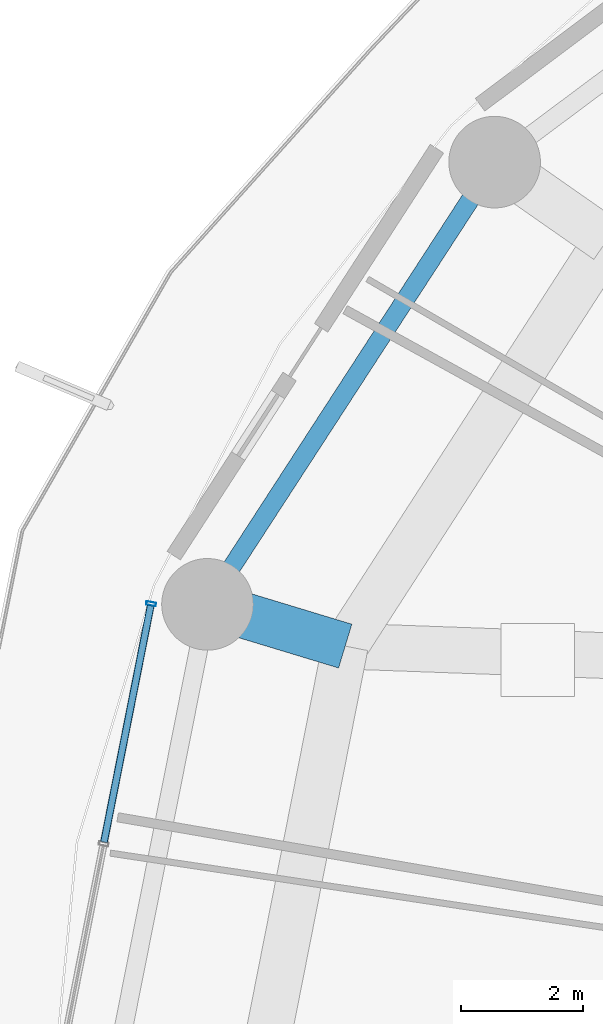
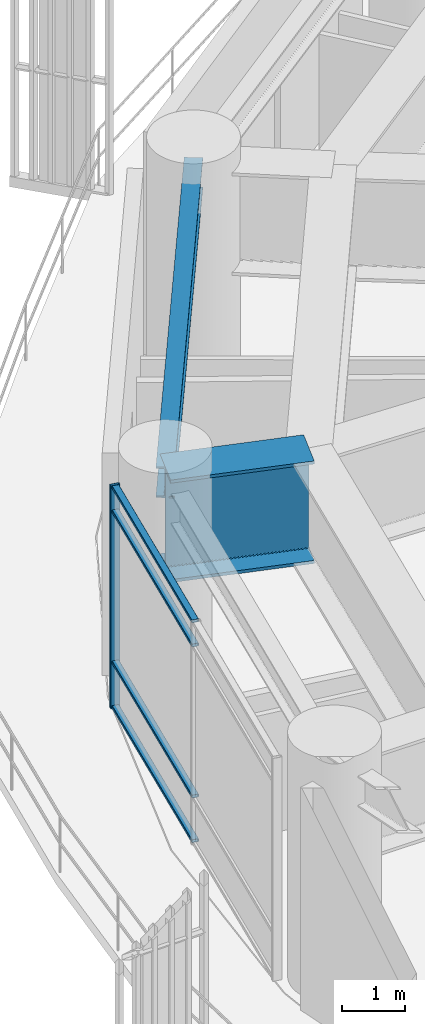
# One storey, part 14 of 31: 5 members, 2 beams, 1 element without a shape of its own.
"""IFC4 building model written with IfcOpenShell, lengths in metres."""

from ifc_helpers import new_model, si_unit, direction, frame, origin, origin_2d, place, context, subcontext, project, spatial, hollow_rectangle, i_section, extrude, material, layer, layer_set, material_profile, profile_set, type_object, element, aggregate, save


model = new_model("IFC4")

# Units and contexts
model_context = context("Model", 3, precision=1e-05, world=origin(), true_north=direction((0.0, 1.0)))
body_context = subcontext(model_context, "Body", "Model", "MODEL_VIEW")
ifc_project = project(units=[si_unit("LENGTHUNIT", "METRE"), si_unit("AREAUNIT", "SQUARE_METRE"), si_unit("VOLUMEUNIT", "CUBIC_METRE"), si_unit("PLANEANGLEUNIT", "RADIAN"), si_unit("MASSUNIT", "GRAM", prefix="KILO")], contexts=[model_context])

# Site, building, storey
site_placement = place(None, origin())
site = spatial("IfcSite", under=ifc_project, at=site_placement, CompositionType="ELEMENT")
building_placement = place(site_placement, origin())
building = spatial("IfcBuilding", under=site, at=building_placement, Name="Kelanora Arch Commons", CompositionType="ELEMENT")
storey_placement = place(building_placement, frame((0.0, 0.0, 67.5)))
storey = spatial("IfcBuildingStorey", under=building, at=storey_placement, Name="L17", CompositionType="ELEMENT", Elevation=67.5)

# Beams
ifc_material_1 = material(Name="Steel S355", Category="steel")
ifc_material_profile_1 = material_profile(ifc_material_1, i_section(OverallWidth=0.300048828125, OverallDepth=0.60009765625, WebThickness=0.015380859375, FlangeThickness=0.030029296875, FilletRadius=0.027099609375, at=origin_2d()), Name="HEB600")
ifc_profile_set_1 = profile_set([ifc_material_profile_1], Name="Steel S355")
beam_type_1 = type_object("IfcBeamType", Name="BM-SPN-Z1", PredefinedType="SPANDREL", material=ifc_profile_set_1)
beam_1_placement = place(storey_placement, frame((53.255615234375, 73.478271484375, 4.06005859375), z_axis=(-0.544585813928, -0.838705127722, 0.0), x_axis=(0.838705127722, -0.544585813928, 0.0)))
element("IfcBeam", 1, at=beam_1_placement, inside=storey, type_object=beam_type_1, Name="Perimeter Spandrel Beam BS-14 L17", PredefinedType="SPANDREL", context=body_context, shape_type="SweptSolid", body=[
    extrude(i_section(OverallWidth=0.300048828125, OverallDepth=0.60009765625, WebThickness=0.015380859375, FlangeThickness=0.030029296875, FilletRadius=0.027099609375, at=origin_2d()), origin(), (0.0, 0.0, 1.0), 8.63525390625),
])
ifc_material_profile_2 = material_profile(ifc_material_1, i_section(OverallWidth=0.75, OverallDepth=2.0, WebThickness=0.034912109375, FlangeThickness=0.06005859375, FilletRadius=0.028076171875, at=origin_2d()), Name="PG2000x750")
ifc_profile_set_2 = profile_set([ifc_material_profile_2], Name="Steel S355")
beam_type_2 = type_object("IfcBeamType", Name="BM-XFER-SET", PredefinedType="USERDEFINED", material=ifc_profile_set_2)
beam_2_placement = place(storey_placement, frame((50.808349609375, 65.5517578125, 3.360107421875), z_axis=(-0.956949447341, 0.290254638607, 0.0), x_axis=(-0.290254638607, -0.956949447341, 0.0)))
element("IfcBeam", 2, at=beam_2_placement, inside=storey, type_object=beam_type_2, Name="Radial Floor Girder BR-16 L17", ObjectType="TRANSFER_GIRDER", PredefinedType="USERDEFINED", context=body_context, shape_type="SweptSolid", body=[
    extrude(i_section(OverallWidth=0.75, OverallDepth=2.0, WebThickness=0.034912109375, FlangeThickness=0.06005859375, FilletRadius=0.028076171875, at=origin_2d()), origin(), (0.0, 0.0, 1.0), 2.35693359375),
])

# Curtain wall, members
ifc_material_2 = material(Name="Terracotta ceramic-fritted low-E glass and aluminium", Category="masonry")
ifc_layer = layer(ifc_material_2, 0.159912109375)
ifc_layer_set = layer_set([ifc_layer], Name="Terracotta ceramic-fritted low-E glass and aluminium")
curtain_wall_type = type_object("IfcCurtainWallType", Name="CW-SYS-01", PredefinedType="NOTDEFINED", material=ifc_layer_set)
curtain_wall_placement = place(storey_placement, origin())
curtain_wall = element("IfcCurtainWall", 3, at=curtain_wall_placement, inside=storey, type_object=curtain_wall_type, Name="Unitised Curtain Wall L17-B08", PredefinedType="NOTDEFINED")
ifc_material_3 = material(Name="Powder-coated aluminium terracotta", Category="masonry")
ifc_material_profile_3 = material_profile(ifc_material_3, hollow_rectangle(XDim=0.159912109375, YDim=0.06005859375, WallThickness=0.0048828125, InnerFilletRadius=0.0048828125, OuterFilletRadius=0.010009765625, at=origin_2d()), Name="CWM160x60")
ifc_profile_set_3 = profile_set([ifc_material_profile_3], Name="Powder-coated aluminium terracotta")
member_type_1 = type_object("IfcMemberType", Name="CWM-STD", PredefinedType="MULLION", material=ifc_profile_set_3)
member_1_placement = place(storey_placement, frame((47.628173828125, 66.243896484375, 0.0), z_axis=(0.0, 0.0, 1.0), x_axis=(0.981052110579, -0.193744048498, 0.0)))
member_1 = element("IfcMember", 4, at=member_1_placement, type_object=member_type_1, Name="CW-01 mullion 1", PredefinedType="MULLION", context=body_context, shape_type="SweptSolid", body=[
    extrude(hollow_rectangle(XDim=0.159912109375, YDim=0.06005859375, WallThickness=0.0048828125, InnerFilletRadius=0.0048828125, OuterFilletRadius=0.010009765625, at=origin_2d()), origin(), (0.0, 0.0, 1.0), 4.344970703125),
])
ifc_material_profile_4 = material_profile(ifc_material_3, hollow_rectangle(XDim=0.1201171875, YDim=0.06005859375, WallThickness=0.0048828125, InnerFilletRadius=0.0048828125, OuterFilletRadius=0.010009765625, at=origin_2d()), Name="CWT120x60")
ifc_profile_set_4 = profile_set([ifc_material_profile_4], Name="Powder-coated aluminium terracotta")
member_type_2 = type_object("IfcMemberType", Name="CWT-STD", PredefinedType="USERDEFINED", material=ifc_profile_set_4)
member_2_placement = place(storey_placement, frame((47.622314453125, 66.21435546875, 0.030029296875), z_axis=(-0.193725436624, -0.98105578598, 0.0), x_axis=(0.98105578598, -0.193725436624, 0.0)))
member_2 = element("IfcMember", 5, at=member_2_placement, type_object=member_type_2, Name="CW-01 transom 1.1", ObjectType="TRANSOM", PredefinedType="USERDEFINED", context=body_context, shape_type="SweptSolid", body=[
    extrude(hollow_rectangle(XDim=0.1201171875, YDim=0.06005859375, WallThickness=0.0048828125, InnerFilletRadius=0.0048828125, OuterFilletRadius=0.010009765625, at=origin_2d()), origin(), (0.0, 0.0, 1.0), 3.9482421875),
])
member_3_placement = place(storey_placement, frame((47.622314453125, 66.21435546875, 0.89990234375), z_axis=(-0.193725436624, -0.98105578598, 0.0), x_axis=(0.98105578598, -0.193725436624, 0.0)))
member_3 = element("IfcMember", 6, at=member_3_placement, type_object=member_type_2, Name="CW-01 transom 1.2", ObjectType="TRANSOM", PredefinedType="USERDEFINED", context=body_context, shape_type="SweptSolid", body=[
    extrude(hollow_rectangle(XDim=0.1201171875, YDim=0.06005859375, WallThickness=0.0048828125, InnerFilletRadius=0.0048828125, OuterFilletRadius=0.010009765625, at=origin_2d()), origin(), (0.0, 0.0, 1.0), 3.9482421875),
])
member_4_placement = place(storey_placement, frame((47.622314453125, 66.21435546875, 3.844970703125), z_axis=(-0.193725436624, -0.98105578598, 0.0), x_axis=(0.98105578598, -0.193725436624, 0.0)))
member_4 = element("IfcMember", 7, at=member_4_placement, type_object=member_type_2, Name="CW-01 transom 1.3", ObjectType="TRANSOM", PredefinedType="USERDEFINED", context=body_context, shape_type="SweptSolid", body=[
    extrude(hollow_rectangle(XDim=0.1201171875, YDim=0.06005859375, WallThickness=0.0048828125, InnerFilletRadius=0.0048828125, OuterFilletRadius=0.010009765625, at=origin_2d()), origin(), (0.0, 0.0, 1.0), 3.9482421875),
])
member_5_placement = place(storey_placement, frame((47.622314453125, 66.21435546875, 4.31494140625), z_axis=(-0.193725436624, -0.98105578598, 0.0), x_axis=(0.98105578598, -0.193725436624, 0.0)))
member_5 = element("IfcMember", 8, at=member_5_placement, type_object=member_type_2, Name="CW-01 transom 1.4", ObjectType="TRANSOM", PredefinedType="USERDEFINED", context=body_context, shape_type="SweptSolid", body=[
    extrude(hollow_rectangle(XDim=0.1201171875, YDim=0.06005859375, WallThickness=0.0048828125, InnerFilletRadius=0.0048828125, OuterFilletRadius=0.010009765625, at=origin_2d()), origin(), (0.0, 0.0, 1.0), 3.9482421875),
])
aggregate(curtain_wall, [member_1, member_2, member_3, member_4, member_5])

save(model, "model.ifc")
